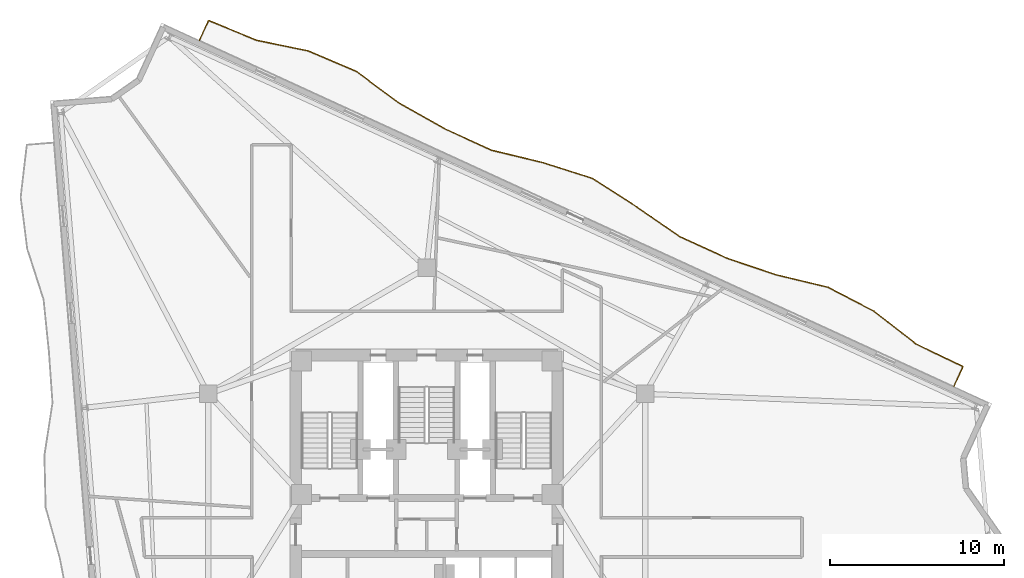
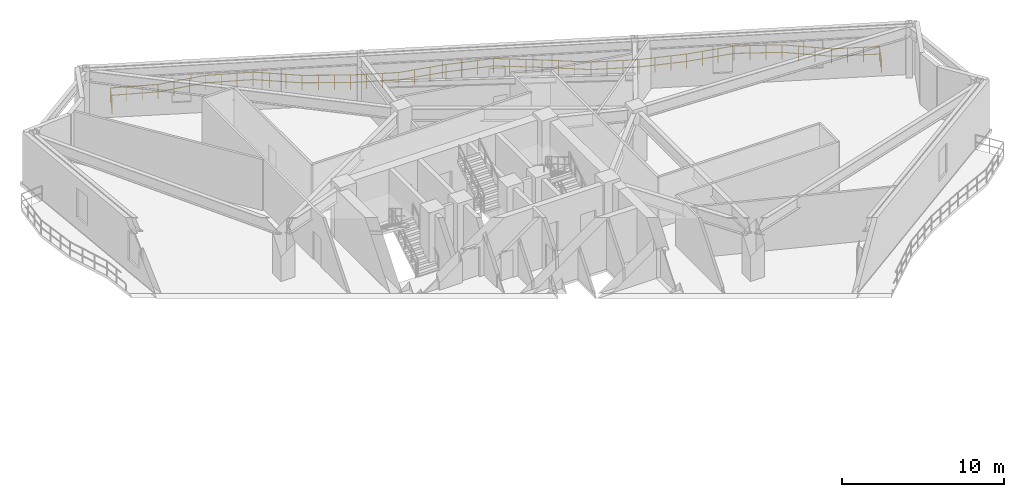
# One storey, part 11 of 11: 1 railing.
"""IFC4 building model written with IfcOpenShell, lengths in metres."""

from ifc_helpers import new_model, si_unit, direction, frame, origin, origin_2d, place, context, subcontext, project, spatial, rectangle, extrude, material, type_object, element, save


model = new_model("IFC4")

# Units and contexts
model_context = context("Model", 3, precision=1e-05, world=origin(), true_north=direction((0.0, 1.0)))
body_context = subcontext(model_context, "Body", "Model", "MODEL_VIEW")
ifc_project = project(units=[si_unit("LENGTHUNIT", "METRE"), si_unit("AREAUNIT", "SQUARE_METRE"), si_unit("VOLUMEUNIT", "CUBIC_METRE"), si_unit("PLANEANGLEUNIT", "RADIAN"), si_unit("MASSUNIT", "GRAM", prefix="KILO")], contexts=[model_context])

# Site, building, storey
site_placement = place(None, origin())
site = spatial("IfcSite", under=ifc_project, at=site_placement, CompositionType="ELEMENT")
building_placement = place(site_placement, origin())
building = spatial("IfcBuilding", under=site, at=building_placement, Name="Apsidion Concourse Tower", CompositionType="ELEMENT")
storey_placement = place(building_placement, frame((0.0, 0.0, 206.5)))
storey = spatial("IfcBuildingStorey", under=building, at=storey_placement, Name="L48", CompositionType="ELEMENT", Elevation=206.5)

# Railing
ifc_material = material(Name="Brushed stainless steel 316", Category="steel")
railing_type = type_object("IfcRailingType", Name="RL-BAL-1120", PredefinedType="BALUSTRADE", material=ifc_material)
railing_placement = place(storey_placement, frame((-13.060546875, 27.586181640625, 0.0)))
element("IfcRailing", 1, at=railing_placement, inside=storey, type_object=railing_type, Name="L48 Face 3 Rippling Balcony Balustrade", PredefinedType="BALUSTRADE", context=body_context, shape_type="SweptSolid", body=[
    extrude(rectangle(XDim=0.048095703125, YDim=0.048095703125, at=origin_2d()), frame((0.0, 0.0, 1.09619140625), z_axis=(0.416964027028, 0.908922989128, 0.0), x_axis=(-0.908922989128, 0.416964027028, 0.0)), (0.0, 0.0, 1.0), 1.25),
    extrude(rectangle(XDim=0.048095703125, YDim=0.048095703125, at=origin_2d()), frame((0.0, 0.0, 0.5361328125), z_axis=(0.416964027028, 0.908922989128, 0.0), x_axis=(-0.908922989128, 0.416964027028, 0.0)), (0.0, 0.0, 1.0), 1.25),
    extrude(rectangle(XDim=0.048095703125, YDim=0.048095703125, at=origin_2d()), frame((0.521240234375, 1.13623046875, 1.09619140625), z_axis=(0.924017828796, -0.382349384813, 0.0), x_axis=(0.382349384813, 0.924017828796, 0.0)), (0.0, 0.0, 1.0), 2.985107421875),
    extrude(rectangle(XDim=0.048095703125, YDim=0.048095703125, at=origin_2d()), frame((0.521240234375, 1.13623046875, 0.5361328125), z_axis=(0.924017828796, -0.382349384813, 0.0), x_axis=(0.382349384813, 0.924017828796, 0.0)), (0.0, 0.0, 1.0), 2.985107421875),
    extrude(rectangle(XDim=0.048095703125, YDim=0.048095703125, at=origin_2d()), frame((3.279541015625, -0.005126953125, 1.09619140625), z_axis=(0.979381920397, -0.202017459639, 0.0), x_axis=(0.202017459639, 0.979381920397, 0.0)), (0.0, 0.0, 1.0), 3.061279296875),
    extrude(rectangle(XDim=0.048095703125, YDim=0.048095703125, at=origin_2d()), frame((3.279541015625, -0.005126953125, 0.5361328125), z_axis=(0.979381920397, -0.202017459639, 0.0), x_axis=(0.202017459639, 0.979381920397, 0.0)), (0.0, 0.0, 1.0), 3.061279296875),
    extrude(rectangle(XDim=0.048095703125, YDim=0.048095703125, at=origin_2d()), frame((6.277587890625, -0.62353515625, 1.09619140625), z_axis=(0.919276165572, -0.393613174846, 0.0), x_axis=(0.393613174846, 0.919276165572, 0.0)), (0.0, 0.0, 1.0), 2.984130859375),
    extrude(rectangle(XDim=0.048095703125, YDim=0.048095703125, at=origin_2d()), frame((6.277587890625, -0.62353515625, 0.5361328125), z_axis=(0.919276165572, -0.393613174846, 0.0), x_axis=(0.393613174846, 0.919276165572, 0.0)), (0.0, 0.0, 1.0), 2.984130859375),
    extrude(rectangle(XDim=0.048095703125, YDim=0.048095703125, at=origin_2d()), frame((9.020751953125, -1.798095703125, 1.09619140625), z_axis=(0.803379811125, -0.595466942051, 0.0), x_axis=(0.595466942051, 0.803379811125, 0.0)), (0.0, 0.0, 1.0), 3.04833984375),
    extrude(rectangle(XDim=0.048095703125, YDim=0.048095703125, at=origin_2d()), frame((9.020751953125, -1.798095703125, 0.5361328125), z_axis=(0.803379811125, -0.595466942051, 0.0), x_axis=(0.595466942051, 0.803379811125, 0.0)), (0.0, 0.0, 1.0), 3.04833984375),
    extrude(rectangle(XDim=0.048095703125, YDim=0.048095703125, at=origin_2d()), frame((11.4697265625, -3.61328125, 1.09619140625), z_axis=(0.871303133423, -0.490745198334, 0.0), x_axis=(0.490745198334, 0.871303133423, 0.0)), (0.0, 0.0, 1.0), 2.993408203125),
    extrude(rectangle(XDim=0.048095703125, YDim=0.048095703125, at=origin_2d()), frame((11.4697265625, -3.61328125, 0.5361328125), z_axis=(0.871303133423, -0.490745198334, 0.0), x_axis=(0.490745198334, 0.871303133423, 0.0)), (0.0, 0.0, 1.0), 2.993408203125),
    extrude(rectangle(XDim=0.048095703125, YDim=0.048095703125, at=origin_2d()), frame((14.077880859375, -5.082275390625, 1.09619140625), z_axis=(0.908903293118, -0.417006958887, 0.0), x_axis=(0.417006958887, 0.908903293118, 0.0)), (0.0, 0.0, 1.0), 2.98291015625),
    extrude(rectangle(XDim=0.048095703125, YDim=0.048095703125, at=origin_2d()), frame((14.077880859375, -5.082275390625, 0.5361328125), z_axis=(0.908903293118, -0.417006958887, 0.0), x_axis=(0.417006958887, 0.908903293118, 0.0)), (0.0, 0.0, 1.0), 2.98291015625),
    extrude(rectangle(XDim=0.048095703125, YDim=0.048095703125, at=origin_2d()), frame((16.7890625, -6.326171875, 1.09619140625), z_axis=(0.972149129366, -0.234363116283, 0.0), x_axis=(0.234363116283, 0.972149129366, 0.0)), (0.0, 0.0, 1.0), 3.039794921875),
    extrude(rectangle(XDim=0.048095703125, YDim=0.048095703125, at=origin_2d()), frame((16.7890625, -6.326171875, 0.5361328125), z_axis=(0.972149129366, -0.234363116283, 0.0), x_axis=(0.234363116283, 0.972149129366, 0.0)), (0.0, 0.0, 1.0), 3.039794921875),
    extrude(rectangle(XDim=0.048095703125, YDim=0.048095703125, at=origin_2d()), frame((19.744140625, -7.03857421875, 1.09619140625), z_axis=(0.95280728383, -0.303575822293, 0.0), x_axis=(0.303575822293, 0.95280728383, 0.0)), (0.0, 0.0, 1.0), 3.00537109375),
    extrude(rectangle(XDim=0.048095703125, YDim=0.048095703125, at=origin_2d()), frame((19.744140625, -7.03857421875, 0.5361328125), z_axis=(0.95280728383, -0.303575822293, 0.0), x_axis=(0.303575822293, 0.95280728383, 0.0)), (0.0, 0.0, 1.0), 3.00537109375),
    extrude(rectangle(XDim=0.048095703125, YDim=0.048095703125, at=origin_2d()), frame((22.607666015625, -7.950927734375, 1.09619140625), z_axis=(0.840343074078, -0.542054902984, 0.0), x_axis=(0.542054902984, 0.840343074078, 0.0)), (0.0, 0.0, 1.0), 3.013671875),
    extrude(rectangle(XDim=0.048095703125, YDim=0.048095703125, at=origin_2d()), frame((22.607666015625, -7.950927734375, 0.5361328125), z_axis=(0.840343074078, -0.542054902984, 0.0), x_axis=(0.542054902984, 0.840343074078, 0.0)), (0.0, 0.0, 1.0), 3.013671875),
    extrude(rectangle(XDim=0.048095703125, YDim=0.048095703125, at=origin_2d()), frame((25.14013671875, -9.58447265625, 1.09619140625), z_axis=(0.823785409961, -0.566901753689, 0.0), x_axis=(0.566901753689, 0.823785409961, 0.0)), (0.0, 0.0, 1.0), 3.028076171875),
    extrude(rectangle(XDim=0.048095703125, YDim=0.048095703125, at=origin_2d()), frame((25.14013671875, -9.58447265625, 0.5361328125), z_axis=(0.823785409961, -0.566901753689, 0.0), x_axis=(0.566901753689, 0.823785409961, 0.0)), (0.0, 0.0, 1.0), 3.028076171875),
    extrude(rectangle(XDim=0.048095703125, YDim=0.048095703125, at=origin_2d()), frame((27.634521484375, -11.301025390625, 1.09619140625), z_axis=(0.908917524178, -0.416975939644, 0.0), x_axis=(0.416975939644, 0.908917524178, 0.0)), (0.0, 0.0, 1.0), 2.983154296875),
    extrude(rectangle(XDim=0.048095703125, YDim=0.048095703125, at=origin_2d()), frame((27.634521484375, -11.301025390625, 0.5361328125), z_axis=(0.908917524178, -0.416975939644, 0.0), x_axis=(0.416975939644, 0.908917524178, 0.0)), (0.0, 0.0, 1.0), 2.983154296875),
    extrude(rectangle(XDim=0.048095703125, YDim=0.048095703125, at=origin_2d()), frame((30.345947265625, -12.544921875, 1.09619140625), z_axis=(0.947956432649, -0.318400065641, 0.0), x_axis=(0.318400065641, 0.947956432649, 0.0)), (0.0, 0.0, 1.0), 2.99951171875),
    extrude(rectangle(XDim=0.048095703125, YDim=0.048095703125, at=origin_2d()), frame((30.345947265625, -12.544921875, 0.5361328125), z_axis=(0.947956432649, -0.318400065641, 0.0), x_axis=(0.318400065641, 0.947956432649, 0.0)), (0.0, 0.0, 1.0), 2.99951171875),
    extrude(rectangle(XDim=0.048095703125, YDim=0.048095703125, at=origin_2d()), frame((33.189453125, -13.5, 1.09619140625), z_axis=(0.972394590174, -0.233342582911, 0.0), x_axis=(0.233342582911, 0.972394590174, 0.0)), (0.0, 0.0, 1.0), 3.04052734375),
    extrude(rectangle(XDim=0.048095703125, YDim=0.048095703125, at=origin_2d()), frame((33.189453125, -13.5, 0.5361328125), z_axis=(0.972394590174, -0.233342582911, 0.0), x_axis=(0.233342582911, 0.972394590174, 0.0)), (0.0, 0.0, 1.0), 3.04052734375),
    extrude(rectangle(XDim=0.048095703125, YDim=0.048095703125, at=origin_2d()), frame((36.14599609375, -14.20947265625, 1.09619140625), z_axis=(0.886544033812, -0.46264422196, 0.0), x_axis=(0.46264422196, 0.886544033812, 0.0)), (0.0, 0.0, 1.0), 2.98681640625),
    extrude(rectangle(XDim=0.048095703125, YDim=0.048095703125, at=origin_2d()), frame((36.14599609375, -14.20947265625, 0.5361328125), z_axis=(0.886544033812, -0.46264422196, 0.0), x_axis=(0.46264422196, 0.886544033812, 0.0)), (0.0, 0.0, 1.0), 2.98681640625),
    extrude(rectangle(XDim=0.048095703125, YDim=0.048095703125, at=origin_2d()), frame((38.7939453125, -15.59130859375, 1.09619140625), z_axis=(0.788463681371, -0.615081314266, 0.0), x_axis=(0.615081314266, 0.788463681371, 0.0)), (0.0, 0.0, 1.0), 3.0654296875),
    extrude(rectangle(XDim=0.048095703125, YDim=0.048095703125, at=origin_2d()), frame((38.7939453125, -15.59130859375, 0.5361328125), z_axis=(0.788463681371, -0.615081314266, 0.0), x_axis=(0.615081314266, 0.788463681371, 0.0)), (0.0, 0.0, 1.0), 3.0654296875),
    extrude(rectangle(XDim=0.048095703125, YDim=0.048095703125, at=origin_2d()), frame((41.2109375, -17.476806640625, 1.09619140625), z_axis=(0.902177150407, -0.431365725671, 0.0), x_axis=(0.431365725671, 0.902177150407, 0.0)), (0.0, 0.0, 1.0), 2.983154296875),
    extrude(rectangle(XDim=0.048095703125, YDim=0.048095703125, at=origin_2d()), frame((41.2109375, -17.476806640625, 0.5361328125), z_axis=(0.902177150407, -0.431365725671, 0.0), x_axis=(0.431365725671, 0.902177150407, 0.0)), (0.0, 0.0, 1.0), 2.983154296875),
    extrude(rectangle(XDim=0.048095703125, YDim=0.048095703125, at=origin_2d()), frame((43.90234375, -18.763671875, 1.09619140625), z_axis=(-0.416876673848, -0.908963056896, 0.0), x_axis=(0.908963056896, -0.416876673848, 0.0)), (0.0, 0.0, 1.0), 1.249755859375),
    extrude(rectangle(XDim=0.048095703125, YDim=0.048095703125, at=origin_2d()), frame((43.90234375, -18.763671875, 0.5361328125), z_axis=(-0.416876673848, -0.908963056896, 0.0), x_axis=(0.908963056896, -0.416876673848, 0.0)), (0.0, 0.0, 1.0), 1.249755859375),
    extrude(rectangle(XDim=0.0419921875, YDim=0.0419921875, at=origin_2d()), origin(), (0.0, 0.0, 1.0), 1.072021484375),
    extrude(rectangle(XDim=0.0419921875, YDim=0.0419921875, at=origin_2d()), frame((0.2607421875, 0.568115234375, 0.0)), (0.0, 0.0, 1.0), 1.072021484375),
    extrude(rectangle(XDim=0.0419921875, YDim=0.0419921875, at=origin_2d()), frame((0.521240234375, 1.13623046875, 0.0)), (0.0, 0.0, 1.0), 1.072021484375),
    extrude(rectangle(XDim=0.0419921875, YDim=0.0419921875, at=origin_2d()), frame((1.440673828125, 0.755859375, 0.0)), (0.0, 0.0, 1.0), 1.072021484375),
    extrude(rectangle(XDim=0.0419921875, YDim=0.0419921875, at=origin_2d()), frame((2.360107421875, 0.375244140625, 0.0)), (0.0, 0.0, 1.0), 1.072021484375),
    extrude(rectangle(XDim=0.0419921875, YDim=0.0419921875, at=origin_2d()), frame((3.279541015625, -0.005126953125, 0.0)), (0.0, 0.0, 1.0), 1.072021484375),
    extrude(rectangle(XDim=0.0419921875, YDim=0.0419921875, at=origin_2d()), frame((4.27880859375, -0.211181640625, 0.0)), (0.0, 0.0, 1.0), 1.072021484375),
    extrude(rectangle(XDim=0.0419921875, YDim=0.0419921875, at=origin_2d()), frame((5.2783203125, -0.41748046875, 0.0)), (0.0, 0.0, 1.0), 1.072021484375),
    extrude(rectangle(XDim=0.0419921875, YDim=0.0419921875, at=origin_2d()), frame((6.277587890625, -0.62353515625, 0.0)), (0.0, 0.0, 1.0), 1.072021484375),
    extrude(rectangle(XDim=0.0419921875, YDim=0.0419921875, at=origin_2d()), frame((7.19189453125, -1.01513671875, 0.0)), (0.0, 0.0, 1.0), 1.072021484375),
    extrude(rectangle(XDim=0.0419921875, YDim=0.0419921875, at=origin_2d()), frame((8.1064453125, -1.406494140625, 0.0)), (0.0, 0.0, 1.0), 1.072021484375),
    extrude(rectangle(XDim=0.0419921875, YDim=0.0419921875, at=origin_2d()), frame((9.020751953125, -1.798095703125, 0.0)), (0.0, 0.0, 1.0), 1.072021484375),
    extrude(rectangle(XDim=0.0419921875, YDim=0.0419921875, at=origin_2d()), frame((9.837158203125, -2.403076171875, 0.0)), (0.0, 0.0, 1.0), 1.072021484375),
    extrude(rectangle(XDim=0.0419921875, YDim=0.0419921875, at=origin_2d()), frame((10.6533203125, -3.00830078125, 0.0)), (0.0, 0.0, 1.0), 1.072021484375),
    extrude(rectangle(XDim=0.0419921875, YDim=0.0419921875, at=origin_2d()), frame((11.4697265625, -3.61328125, 0.0)), (0.0, 0.0, 1.0), 1.072021484375),
    extrude(rectangle(XDim=0.0419921875, YDim=0.0419921875, at=origin_2d()), frame((12.339111328125, -4.10302734375, 0.0)), (0.0, 0.0, 1.0), 1.072021484375),
    extrude(rectangle(XDim=0.0419921875, YDim=0.0419921875, at=origin_2d()), frame((13.20849609375, -4.592529296875, 0.0)), (0.0, 0.0, 1.0), 1.072021484375),
    extrude(rectangle(XDim=0.0419921875, YDim=0.0419921875, at=origin_2d()), frame((14.077880859375, -5.082275390625, 0.0)), (0.0, 0.0, 1.0), 1.072021484375),
    extrude(rectangle(XDim=0.0419921875, YDim=0.0419921875, at=origin_2d()), frame((14.981689453125, -5.496826171875, 0.0)), (0.0, 0.0, 1.0), 1.072021484375),
    extrude(rectangle(XDim=0.0419921875, YDim=0.0419921875, at=origin_2d()), frame((15.88525390625, -5.91162109375, 0.0)), (0.0, 0.0, 1.0), 1.072021484375),
    extrude(rectangle(XDim=0.0419921875, YDim=0.0419921875, at=origin_2d()), frame((16.7890625, -6.326171875, 0.0)), (0.0, 0.0, 1.0), 1.072021484375),
    extrude(rectangle(XDim=0.0419921875, YDim=0.0419921875, at=origin_2d()), frame((17.774169921875, -6.563720703125, 0.0)), (0.0, 0.0, 1.0), 1.072021484375),
    extrude(rectangle(XDim=0.0419921875, YDim=0.0419921875, at=origin_2d()), frame((18.759033203125, -6.801025390625, 0.0)), (0.0, 0.0, 1.0), 1.072021484375),
    extrude(rectangle(XDim=0.0419921875, YDim=0.0419921875, at=origin_2d()), frame((19.744140625, -7.03857421875, 0.0)), (0.0, 0.0, 1.0), 1.072021484375),
    extrude(rectangle(XDim=0.0419921875, YDim=0.0419921875, at=origin_2d()), frame((20.69873046875, -7.3427734375, 0.0)), (0.0, 0.0, 1.0), 1.072021484375),
    extrude(rectangle(XDim=0.0419921875, YDim=0.0419921875, at=origin_2d()), frame((21.653076171875, -7.646728515625, 0.0)), (0.0, 0.0, 1.0), 1.072021484375),
    extrude(rectangle(XDim=0.0419921875, YDim=0.0419921875, at=origin_2d()), frame((22.607666015625, -7.950927734375, 0.0)), (0.0, 0.0, 1.0), 1.072021484375),
    extrude(rectangle(XDim=0.0419921875, YDim=0.0419921875, at=origin_2d()), frame((23.451904296875, -8.495361328125, 0.0)), (0.0, 0.0, 1.0), 1.072021484375),
    extrude(rectangle(XDim=0.0419921875, YDim=0.0419921875, at=origin_2d()), frame((24.2958984375, -9.0400390625, 0.0)), (0.0, 0.0, 1.0), 1.072021484375),
    extrude(rectangle(XDim=0.0419921875, YDim=0.0419921875, at=origin_2d()), frame((25.14013671875, -9.58447265625, 0.0)), (0.0, 0.0, 1.0), 1.072021484375),
    extrude(rectangle(XDim=0.0419921875, YDim=0.0419921875, at=origin_2d()), frame((25.9716796875, -10.15673828125, 0.0)), (0.0, 0.0, 1.0), 1.072021484375),
    extrude(rectangle(XDim=0.0419921875, YDim=0.0419921875, at=origin_2d()), frame((26.802978515625, -10.728759765625, 0.0)), (0.0, 0.0, 1.0), 1.072021484375),
    extrude(rectangle(XDim=0.0419921875, YDim=0.0419921875, at=origin_2d()), frame((27.634521484375, -11.301025390625, 0.0)), (0.0, 0.0, 1.0), 1.072021484375),
    extrude(rectangle(XDim=0.0419921875, YDim=0.0419921875, at=origin_2d()), frame((28.538330078125, -11.715576171875, 0.0)), (0.0, 0.0, 1.0), 1.072021484375),
    extrude(rectangle(XDim=0.0419921875, YDim=0.0419921875, at=origin_2d()), frame((29.442138671875, -12.13037109375, 0.0)), (0.0, 0.0, 1.0), 1.072021484375),
    extrude(rectangle(XDim=0.0419921875, YDim=0.0419921875, at=origin_2d()), frame((30.345947265625, -12.544921875, 0.0)), (0.0, 0.0, 1.0), 1.072021484375),
    extrude(rectangle(XDim=0.0419921875, YDim=0.0419921875, at=origin_2d()), frame((31.293701171875, -12.86328125, 0.0)), (0.0, 0.0, 1.0), 1.072021484375),
    extrude(rectangle(XDim=0.0419921875, YDim=0.0419921875, at=origin_2d()), frame((32.24169921875, -13.181640625, 0.0)), (0.0, 0.0, 1.0), 1.072021484375),
    extrude(rectangle(XDim=0.0419921875, YDim=0.0419921875, at=origin_2d()), frame((33.189453125, -13.5, 0.0)), (0.0, 0.0, 1.0), 1.072021484375),
    extrude(rectangle(XDim=0.0419921875, YDim=0.0419921875, at=origin_2d()), frame((34.175048828125, -13.736572265625, 0.0)), (0.0, 0.0, 1.0), 1.072021484375),
    extrude(rectangle(XDim=0.0419921875, YDim=0.0419921875, at=origin_2d()), frame((35.160400390625, -13.972900390625, 0.0)), (0.0, 0.0, 1.0), 1.072021484375),
    extrude(rectangle(XDim=0.0419921875, YDim=0.0419921875, at=origin_2d()), frame((36.14599609375, -14.20947265625, 0.0)), (0.0, 0.0, 1.0), 1.072021484375),
    extrude(rectangle(XDim=0.0419921875, YDim=0.0419921875, at=origin_2d()), frame((37.028564453125, -14.670166015625, 0.0)), (0.0, 0.0, 1.0), 1.072021484375),
    extrude(rectangle(XDim=0.0419921875, YDim=0.0419921875, at=origin_2d()), frame((37.911376953125, -15.130615234375, 0.0)), (0.0, 0.0, 1.0), 1.072021484375),
    extrude(rectangle(XDim=0.0419921875, YDim=0.0419921875, at=origin_2d()), frame((38.7939453125, -15.59130859375, 0.0)), (0.0, 0.0, 1.0), 1.072021484375),
    extrude(rectangle(XDim=0.0419921875, YDim=0.0419921875, at=origin_2d()), frame((39.599609375, -16.2197265625, 0.0)), (0.0, 0.0, 1.0), 1.072021484375),
    extrude(rectangle(XDim=0.0419921875, YDim=0.0419921875, at=origin_2d()), frame((40.4052734375, -16.848388671875, 0.0)), (0.0, 0.0, 1.0), 1.072021484375),
    extrude(rectangle(XDim=0.0419921875, YDim=0.0419921875, at=origin_2d()), frame((41.2109375, -17.476806640625, 0.0)), (0.0, 0.0, 1.0), 1.072021484375),
    extrude(rectangle(XDim=0.0419921875, YDim=0.0419921875, at=origin_2d()), frame((42.108154296875, -17.90576171875, 0.0)), (0.0, 0.0, 1.0), 1.072021484375),
    extrude(rectangle(XDim=0.0419921875, YDim=0.0419921875, at=origin_2d()), frame((43.005126953125, -18.334716796875, 0.0)), (0.0, 0.0, 1.0), 1.072021484375),
    extrude(rectangle(XDim=0.0419921875, YDim=0.0419921875, at=origin_2d()), frame((43.90234375, -18.763671875, 0.0)), (0.0, 0.0, 1.0), 1.072021484375),
    extrude(rectangle(XDim=0.0419921875, YDim=0.0419921875, at=origin_2d()), frame((43.641845703125, -19.33154296875, 0.0)), (0.0, 0.0, 1.0), 1.072021484375),
    extrude(rectangle(XDim=0.0419921875, YDim=0.0419921875, at=origin_2d()), frame((43.38134765625, -19.899658203125, 0.0)), (0.0, 0.0, 1.0), 1.072021484375),
])

save(model, "model.ifc")
